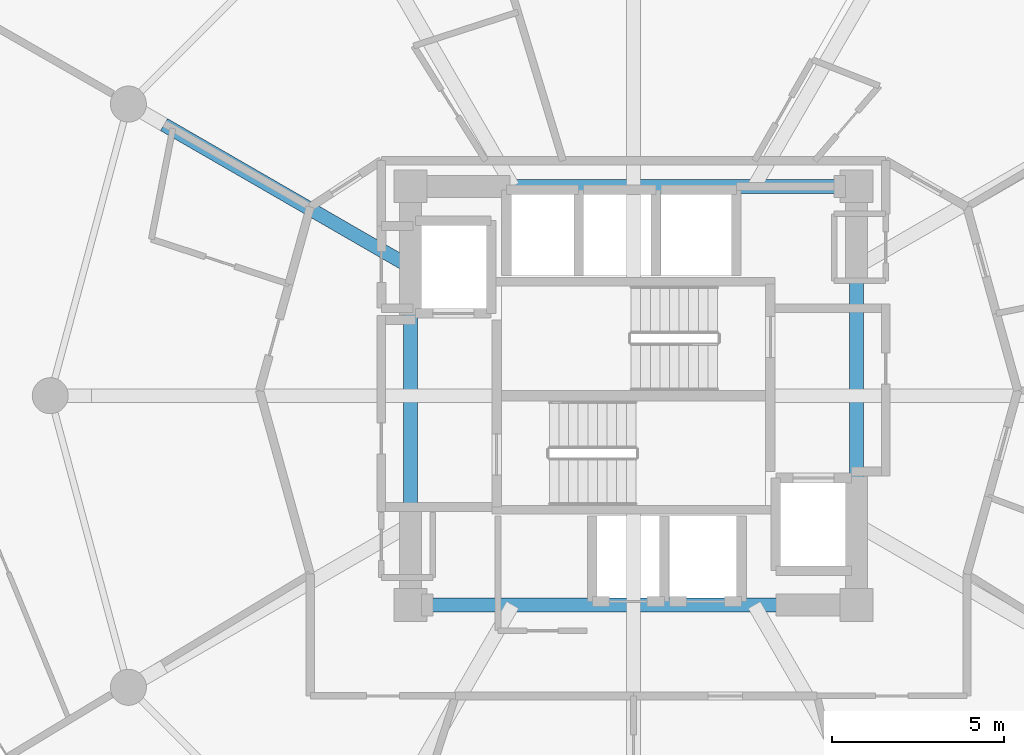
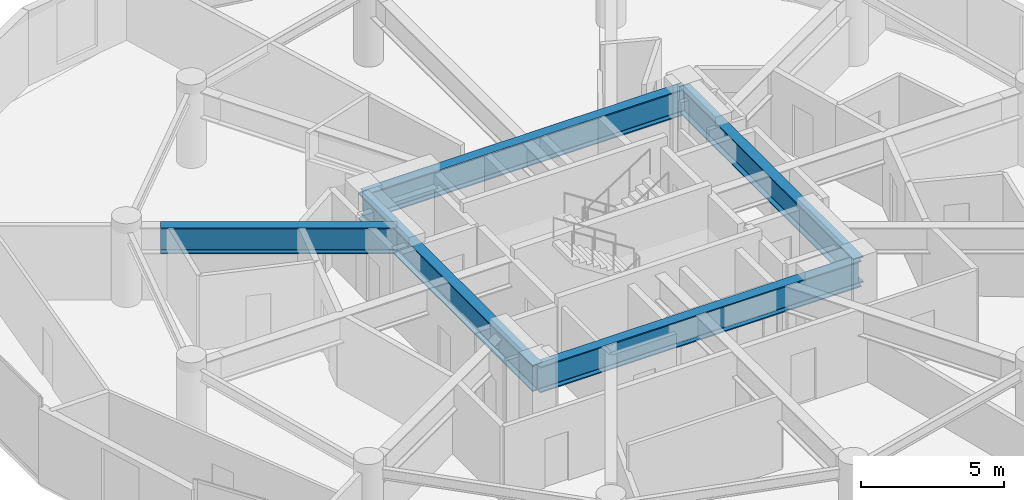
# One storey, part 8 of 22: 5 beams.
"""IFC4 building model written with IfcOpenShell, lengths in metres."""

import ifcopenshell
import ifcopenshell.guid

model = None  # the IFC model being written
_history = None  # IfcOwnerHistory: only IFC2X3 demands one
_inside = {}  # id of a spatial element -> (the spatial element, [elements in it])
_under = {}  # id of a project, library or spatial element -> (it, [spatial elements below it])
_declared = {}  # id of a project -> (the project, [libraries it declares])
_typed = {}  # id of a type object -> (the type object, [elements of that type])
_made_of = {}  # id of a material, layer set ... -> (it, [elements and type objects made of it])


def new_model(schema):
    """Start an empty IFC model of exactly this schema.

    Asked for "IFC4X3", IfcOpenShell would pick the latest addendum, in which some entities
    have other attributes; the version numbers below select the first issue.
    IFC2X3 requires an IfcOwnerHistory on every rooted entity: one is made here for all.
    """
    global model, _history
    if schema == "IFC4X3":
        model = ifcopenshell.file(schema_version=(4, 3, 0, 0))
    else:
        model = ifcopenshell.file(schema=schema)
    _inside.clear()
    _under.clear()
    _declared.clear()
    _typed.clear()
    _made_of.clear()
    _history = None
    if model.schema == "IFC2X3":
        org = make("IfcOrganization", Name="unknown")
        user = make(
            "IfcPersonAndOrganization",
            ThePerson=make("IfcPerson", FamilyName="unknown"),
            TheOrganization=org,
        )
        app = make(
            "IfcApplication",
            ApplicationDeveloper=org,
            Version="unknown",
            ApplicationFullName="unknown",
            ApplicationIdentifier="unknown",
        )
        _history = make(
            "IfcOwnerHistory",
            OwningUser=user,
            OwningApplication=app,
            ChangeAction="ADDED",
            CreationDate=0,
        )
    return model


def make(cls, **values):
    """One entity of the class cls with the attributes given. An attribute that is None is left unset."""
    return model.create_entity(
        cls, **{name: value for name, value in values.items() if value is not None}
    )


def rooted(cls, **values):
    """An entity with a GlobalId (a new one), such as an element, a storey or a relation."""
    return make(cls, GlobalId=ifcopenshell.guid.new(), OwnerHistory=_history, **values)


def si_unit(unit_type, name, prefix=None):
    """IfcSIUnit, for example si_unit("LENGTHUNIT", "METRE", prefix="MILLI")."""
    return make("IfcSIUnit", UnitType=unit_type, Prefix=prefix, Name=name)


def assignment(units):
    """IfcUnitAssignment: the units of a project."""
    return None if units is None else make("IfcUnitAssignment", Units=units)


def point(xyz):
    """IfcCartesianPoint."""
    return None if xyz is None else make("IfcCartesianPoint", Coordinates=xyz)


def direction(xyz):
    """IfcDirection."""
    return None if xyz is None else make("IfcDirection", DirectionRatios=xyz)


def frame(location, z_axis=None, x_axis=None):
    """IfcAxis2Placement3D, a coordinate frame: its origin and axes. An axis left out is left unset."""
    return make(
        "IfcAxis2Placement3D",
        Location=point(location),
        Axis=direction(z_axis),
        RefDirection=direction(x_axis),
    )


def frame_2d(location, x_axis=None):
    """IfcAxis2Placement2D, a coordinate frame in the plane: its origin and x axis."""
    return make(
        "IfcAxis2Placement2D", Location=point(location), RefDirection=direction(x_axis)
    )


def origin():
    """The frame at (0, 0, 0) with its axes left unset."""
    return frame((0.0, 0.0, 0.0))


def origin_2d():
    """The frame at (0, 0) in the plane with its x axis left unset."""
    return frame_2d((0.0, 0.0))


def place(relative_to, where):
    """IfcLocalPlacement: puts the frame where relative to a parent placement (None: the world)."""
    return make(
        "IfcLocalPlacement", PlacementRelTo=relative_to, RelativePlacement=where
    )


def context(
    kind, dimensions, precision=None, world=None, true_north=None, identifier=None
):
    """IfcGeometricRepresentationContext, for example the 3D "Model" context."""
    return make(
        "IfcGeometricRepresentationContext",
        ContextIdentifier=identifier,
        ContextType=kind,
        CoordinateSpaceDimension=dimensions,
        Precision=precision,
        WorldCoordinateSystem=world,
        TrueNorth=true_north,
    )


def subcontext(parent, identifier, kind, view, scale=None):
    """IfcGeometricRepresentationSubContext, for example "Body" below "Model"."""
    return make(
        "IfcGeometricRepresentationSubContext",
        ContextIdentifier=identifier,
        ContextType=kind,
        ParentContext=parent,
        TargetScale=scale,
        TargetView=view,
    )


def project(units=None, contexts=None):
    """IfcProject with its units and contexts."""
    return rooted(
        "IfcProject",
        Name="project",
        RepresentationContexts=contexts,
        UnitsInContext=assignment(units),
    )


def spatial(cls, under=None, at=None, **own):
    """A site, building, storey or space (cls), placed at a placement, below another one or the project."""
    s = rooted(cls, ObjectPlacement=at, **own)
    if under is not None:
        _under.setdefault(under.id(), (under, []))[1].append(s)
    return s


def profile(cls, at=None, kind="AREA", **sizes):
    """A parametric profile (cls). Its sizes go by their IFC names, for example OverallWidth=200.0."""
    return make(cls, ProfileType=kind, Position=at, **sizes)


def i_section(**sizes):
    """IfcIShapeProfileDef."""
    return profile("IfcIShapeProfileDef", **sizes)


def extrude(swept, where, along, depth):
    """IfcExtrudedAreaSolid: the profile swept, set in the frame where, extruded along a direction by depth."""
    return make(
        "IfcExtrudedAreaSolid",
        SweptArea=swept,
        Position=where,
        ExtrudedDirection=direction(along),
        Depth=depth,
    )


def shape(context_of_items, identifier, shape_type, items):
    """IfcShapeRepresentation: the items that make up one representation, for example the "Body"."""
    return make(
        "IfcShapeRepresentation",
        ContextOfItems=context_of_items,
        RepresentationIdentifier=identifier,
        RepresentationType=shape_type,
        Items=items,
    )


def material(Name=None, Category=None):
    """IfcMaterial."""
    return make("IfcMaterial", Name=Name, Category=Category)


def material_profile(
    of_material, cross_section, Name=None, Category=None, Priority=None
):
    """IfcMaterialProfile: a cross section and its material."""
    return make(
        "IfcMaterialProfile",
        Name=Name,
        Material=of_material,
        Profile=cross_section,
        Priority=Priority,
        Category=Category,
    )


def profile_set(profiles, Name=None, composite=None):
    """IfcMaterialProfileSet."""
    return make(
        "IfcMaterialProfileSet",
        Name=Name,
        MaterialProfiles=profiles,
        CompositeProfile=composite,
    )


def made_of(thing, what):
    """Note that an element or type object is made of a material, layer set ...; save() writes the relation."""
    if what is not None:
        _made_of.setdefault(what.id(), (what, []))[1].append(thing)
    return thing


def type_object(cls, material=None, **own):
    """A type object (cls), such as IfcWallType, which elements share."""
    return made_of(rooted(cls, **own), material)


def element(
    cls,
    number,
    at=None,
    inside=None,
    cuts=None,
    type_object=None,
    material=None,
    context=None,
    identifier="Body",
    shape_type=None,
    held_by="IfcProductDefinitionShape",
    body=None,
    shapes=None,
    **own,
):
    """One element of the class cls, such as IfcWall. Its Tag is "e" and its number.

    at: its placement. inside: the storey or other place that contains it. cuts: it is an
    opening in that element (IfcRelVoidsElement). A single representation is given by context,
    identifier, shape_type and body (its items); several are given by shapes. held_by: the class
    of the entity that holds the representations. save() writes the other relations.
    """
    e = rooted(cls, Tag="e%d" % number, ObjectPlacement=at, **own)
    if body is not None:
        shapes = [shape(context, identifier, shape_type, body)]
    if shapes is not None:
        e.Representation = make(held_by, Representations=shapes)
    if inside is not None:
        _inside.setdefault(inside.id(), (inside, []))[1].append(e)
    if cuts is not None:
        rooted(
            "IfcRelVoidsElement", RelatingBuildingElement=cuts, RelatedOpeningElement=e
        )
    if type_object is not None:
        _typed.setdefault(type_object.id(), (type_object, []))[1].append(e)
    return made_of(e, material)


def aggregate(whole, parts):
    """IfcRelAggregates: a whole, such as a stair, and the parts it consists of."""
    return rooted("IfcRelAggregates", RelatingObject=whole, RelatedObjects=parts)


def save(model, path):
    """Write the relations noted so far, then the file.

    IfcRelAggregates (storeys below a building ...), IfcRelContainedInSpatialStructure (elements
    in a storey), IfcRelDefinesByType, IfcRelAssociatesMaterial and IfcRelDeclares: one each for
    every whole, place, type object, material and project.
    """
    for whole, parts in _under.values():
        aggregate(whole, parts)
    for where, things in _inside.values():
        rooted(
            "IfcRelContainedInSpatialStructure",
            RelatedElements=things,
            RelatingStructure=where,
        )
    for kind, things in _typed.values():
        rooted("IfcRelDefinesByType", RelatedObjects=things, RelatingType=kind)
    for what, things in _made_of.values():
        rooted("IfcRelAssociatesMaterial", RelatedObjects=things, RelatingMaterial=what)
    for by, libraries in _declared.values():
        rooted("IfcRelDeclares", RelatingContext=by, RelatedDefinitions=libraries)
    model.write(path)


model = new_model("IFC4")

# Units and contexts
model_context = context("Model", 3, precision=1e-05, world=origin(), true_north=direction((0.0, 1.0)))
body_context = subcontext(model_context, "Body", "Model", "MODEL_VIEW")
ifc_project = project(units=[si_unit("LENGTHUNIT", "METRE"), si_unit("AREAUNIT", "SQUARE_METRE"), si_unit("VOLUMEUNIT", "CUBIC_METRE"), si_unit("PLANEANGLEUNIT", "RADIAN"), si_unit("MASSUNIT", "GRAM", prefix="KILO")], contexts=[model_context])

# Site, building, storey
site_placement = place(None, origin())
site = spatial("IfcSite", under=ifc_project, at=site_placement, CompositionType="ELEMENT")
building_placement = place(site_placement, origin())
building = spatial("IfcBuilding", under=site, at=building_placement, Name="Solvirekh Grand Hotel", CompositionType="ELEMENT")
storey_placement = place(building_placement, frame((0.0, 0.0, 160.199951171875)))
storey = spatial("IfcBuildingStorey", under=building, at=storey_placement, Name="L41", CompositionType="ELEMENT", Elevation=160.199951171875)

# Beams
ifc_material = material(Name="Steel S460", Category="steel")
ifc_material_profile = material_profile(ifc_material, i_section(OverallWidth=0.405029296875, OverallDepth=1.117919921875, WebThickness=0.02587890625, FlangeThickness=0.048095703125, FilletRadius=0.02392578125, at=origin_2d()), Name="W1100X499")
ifc_profile_set = profile_set([ifc_material_profile], Name="Steel S460")
beam_type = type_object("IfcBeamType", Name="TransferGirder_W1100", PredefinedType="USERDEFINED", material=ifc_profile_set)
beam_1_placement = place(storey_placement, frame((-6.5, -6.10009765625, 2.64111328125), z_axis=(1.0, 0.0, 0.0), x_axis=(0.0, 1.0, 0.0)))
element("IfcBeam", 1, at=beam_1_placement, inside=storey, type_object=beam_type, Name="L41 core coupling ring beam 1", ObjectType="TRANSFER GIRDER", PredefinedType="USERDEFINED", context=body_context, shape_type="SweptSolid", body=[
    extrude(i_section(OverallWidth=0.405029296875, OverallDepth=1.117919921875, WebThickness=0.02587890625, FlangeThickness=0.048095703125, FilletRadius=0.02392578125, at=origin_2d()), origin(), (0.0, 0.0, 1.0), 13.0),
])
beam_2_placement = place(storey_placement, frame((6.5, -6.10009765625, 2.64111328125), z_axis=(0.0, 1.0, 0.0), x_axis=(-1.0, 0.0, 0.0)))
element("IfcBeam", 2, at=beam_2_placement, inside=storey, type_object=beam_type, Name="L41 core coupling ring beam 2", ObjectType="TRANSFER GIRDER", PredefinedType="USERDEFINED", context=body_context, shape_type="SweptSolid", body=[
    extrude(i_section(OverallWidth=0.405029296875, OverallDepth=1.117919921875, WebThickness=0.02587890625, FlangeThickness=0.048095703125, FilletRadius=0.02392578125, at=origin_2d()), origin(), (0.0, 0.0, 1.0), 12.2001953125),
])
beam_3_placement = place(storey_placement, frame((6.5, 6.10009765625, 2.64111328125), z_axis=(-1.0, 0.0, 0.0), x_axis=(0.0, -1.0, 0.0)))
element("IfcBeam", 3, at=beam_3_placement, inside=storey, type_object=beam_type, Name="L41 core coupling ring beam 3", ObjectType="TRANSFER GIRDER", PredefinedType="USERDEFINED", context=body_context, shape_type="SweptSolid", body=[
    extrude(i_section(OverallWidth=0.405029296875, OverallDepth=1.117919921875, WebThickness=0.02587890625, FlangeThickness=0.048095703125, FilletRadius=0.02392578125, at=origin_2d()), origin(), (0.0, 0.0, 1.0), 13.0),
])
beam_4_placement = place(storey_placement, frame((-6.5, 6.10009765625, 2.64111328125), z_axis=(0.0, -1.0, 0.0), x_axis=(1.0, 0.0, 0.0)))
element("IfcBeam", 4, at=beam_4_placement, inside=storey, type_object=beam_type, Name="L41 core coupling ring beam 4", ObjectType="TRANSFER GIRDER", PredefinedType="USERDEFINED", context=body_context, shape_type="SweptSolid", body=[
    extrude(i_section(OverallWidth=0.405029296875, OverallDepth=1.117919921875, WebThickness=0.02587890625, FlangeThickness=0.048095703125, FilletRadius=0.02392578125, at=origin_2d()), origin(), (0.0, 0.0, 1.0), 12.2001953125),
])
beam_5_placement = place(storey_placement, frame((-6.5, 3.751953125, 2.64111328125), z_axis=(-0.865984612176, 0.500070646484, 0.0), x_axis=(-0.500070646484, -0.865984612176, 0.0)))
element("IfcBeam", 5, at=beam_5_placement, inside=storey, type_object=beam_type, Name="L41 inner radial transfer girder 6A", ObjectType="TRANSFER GIRDER", PredefinedType="USERDEFINED", context=body_context, shape_type="SweptSolid", body=[
    extrude(i_section(OverallWidth=0.405029296875, OverallDepth=1.117919921875, WebThickness=0.02587890625, FlangeThickness=0.048095703125, FilletRadius=0.02392578125, at=origin_2d()), origin(), (0.0, 0.0, 1.0), 8.294677734375),
])

save(model, "model.ifc")
